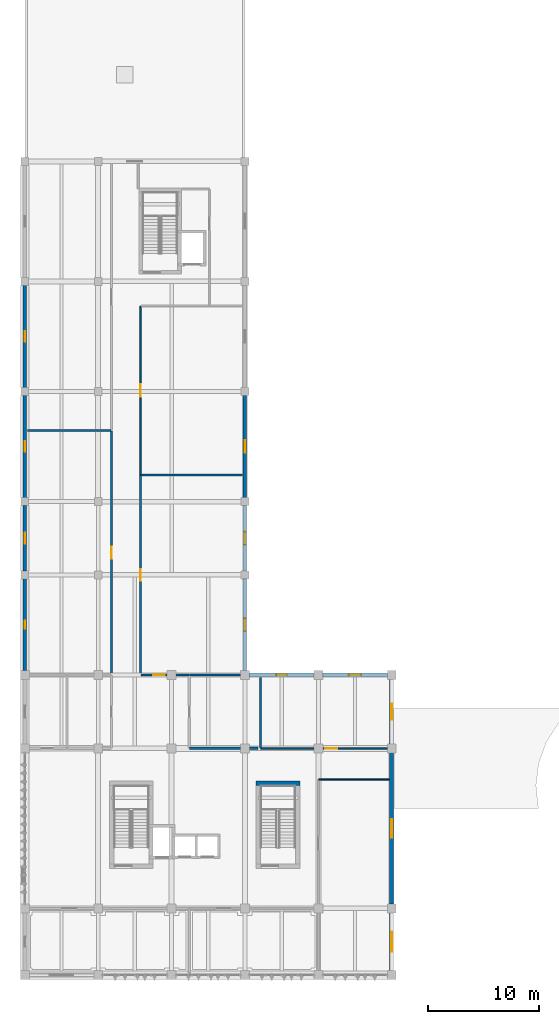
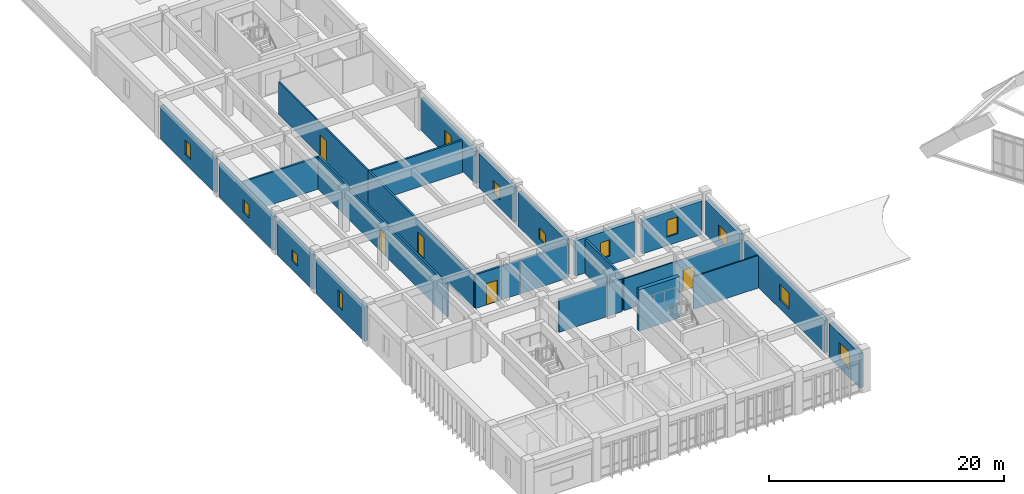
# One storey, part 30 of 34: 24 walls, 12 windows, 5 doors, 17 openings.
"""IFC4 building model written with IfcOpenShell, lengths in metres."""

from ifc_helpers import new_model, si_unit, direction, frame, frame_2d, origin, place, context, subcontext, project, spatial, rectangle, extrude, material, layer, layer_set, type_object, element, fill, save


model = new_model("IFC4")

# Units and contexts
model_context = context("Model", 3, precision=1e-05, world=origin(), true_north=direction((0.0, 1.0)))
body_context = subcontext(model_context, "Body", "Model", "MODEL_VIEW")
ifc_project = project(units=[si_unit("LENGTHUNIT", "METRE"), si_unit("AREAUNIT", "SQUARE_METRE"), si_unit("VOLUMEUNIT", "CUBIC_METRE"), si_unit("PLANEANGLEUNIT", "RADIAN"), si_unit("MASSUNIT", "GRAM", prefix="KILO")], contexts=[model_context])

# Site, building, storey
site_placement = place(None, origin())
site = spatial("IfcSite", under=ifc_project, at=site_placement, CompositionType="ELEMENT")
building_placement = place(site_placement, origin())
building = spatial("IfcBuilding", under=site, at=building_placement, Name="Miralva Faculty of Natural Sciences", CompositionType="ELEMENT")
storey_placement = place(building_placement, frame((0.0, 0.0, 24.0)))
storey = spatial("IfcBuildingStorey", under=building, at=storey_placement, Name="L05", CompositionType="ELEMENT", Elevation=24.0)

# Wall
ifc_material_1 = material(Name="Concrete C50/60", Category="concrete")
ifc_layer_1 = layer(ifc_material_1, 0.39990234375, Name="WL-CW01")
ifc_layer_set_1 = layer_set([ifc_layer_1], Name="Concrete C50/60")
wall_type_1 = type_object("IfcWallType", Name="WL-CW01", PredefinedType="SHEAR", material=ifc_layer_set_1)
wall_1_placement = place(storey_placement, frame((23.800048828125, 20.25, 0.0), z_axis=(0.0, 0.0, 1.0), x_axis=(1.0, 0.0, 0.0)))
element("IfcWall", 1, at=wall_1_placement, inside=storey, type_object=wall_type_1, Name="Core C1B shear wall north L05", PredefinedType="SHEAR", context=body_context, shape_type="SweptSolid", body=[
    extrude(rectangle(XDim=3.949951171875, YDim=0.39990234375, at=frame_2d((1.97509765625, 0.0))), origin(), (0.0, 0.0, 1.0), 4.280029296875),
])

# Wall, opening, door
ifc_material_2 = material(Name="Gypsum plasterboard")
ifc_layer_2 = layer(ifc_material_2, 0.179931640625, Name="WL-PT02")
ifc_layer_set_2 = layer_set([ifc_layer_2], Name="Gypsum plasterboard")
wall_type_2 = type_object("IfcWallType", Name="WL-PT02", PredefinedType="PARTITIONING", material=ifc_layer_set_2)
wall_2_placement = place(storey_placement, frame((13.429931640625, 30.0, 0.0), z_axis=(0.0, 0.0, 1.0), x_axis=(1.0, 0.0, 0.0)))
wall_2 = element("IfcWall", 2, at=wall_2_placement, inside=storey, type_object=wall_type_2, Name="Interior partition PT-02 L05-476", PredefinedType="PARTITIONING", context=body_context, shape_type="SweptSolid", body=[
    extrude(rectangle(XDim=4.340087890625, YDim=0.179931640625, at=frame_2d((2.169921875, 0.0))), origin(), (0.0, 0.0, 1.0), 3.4951171875),
])
opening_1_placement = place(wall_2_placement, frame((1.10498046875, 0.0, 0.0)))
opening_1 = element("IfcOpeningElement", 3, at=opening_1_placement, cuts=wall_2, Name="Opening D-15", PredefinedType="OPENING", context=body_context, shape_type="SweptSolid", body=[
    extrude(rectangle(XDim=1.050048828125, YDim=2.199951171875, at=frame_2d((0.52490234375, 1.10009765625))), frame((0.0, 0.099853515625, 0.0), z_axis=(0.0, -1.0, 0.0), x_axis=(1.0, 0.0, 0.0)), (0.0, 0.0, 1.0), 0.199951171875),
])
ifc_material_3 = material(Name="Galvanised steel", Category="steel")
door_type_1 = type_object("IfcDoorType", Name="DR-DI15", OperationType="NOTDEFINED", PredefinedType="DOOR", material=ifc_material_3)
door_1_placement = place(opening_1_placement, origin())
door_1 = element("IfcDoor", 4, at=door_1_placement, inside=storey, type_object=door_type_1, Name="Interior door D-15 L05-175", OperationType="SINGLE_SWING_LEFT", OverallHeight=2.199951171875, OverallWidth=1.050048828125, PredefinedType="DOOR", context=body_context, shape_type="SweptSolid", body=[
    extrude(rectangle(XDim=1.050048828125, YDim=2.199951171875, at=frame_2d((0.52490234375, 1.10009765625))), frame((0.0, 0.02490234375, 0.0), z_axis=(0.0, -1.0, 0.0), x_axis=(1.0, 0.0, 0.0)), (0.0, 0.0, 1.0), 0.050048828125),
])
fill(opening_1, door_1)

# Wall
wall_3_placement = place(storey_placement, frame((3.22998046875, 52.0, 0.0), z_axis=(0.0, 0.0, 1.0), x_axis=(1.0, 0.0, 0.0)))
element("IfcWall", 5, at=wall_3_placement, inside=storey, type_object=wall_type_2, Name="Interior partition PT-02 L05-477", PredefinedType="PARTITIONING", context=body_context, shape_type="SweptSolid", body=[
    extrude(rectangle(XDim=7.5400390625, YDim=0.179931640625, at=frame_2d((3.77001953125, 0.0))), origin(), (0.0, 0.0, 1.0), 3.344970703125),
])

# Wall, opening, door
wall_4_placement = place(storey_placement, frame((10.800048828125, 30.030029296875, 0.0), z_axis=(0.0, 0.0, 1.0), x_axis=(0.0, 1.0, 0.0)))
wall_4 = element("IfcWall", 6, at=wall_4_placement, inside=storey, type_object=wall_type_2, Name="Interior partition PT-02 L05-478", PredefinedType="PARTITIONING", context=body_context, shape_type="SweptSolid", body=[
    extrude(rectangle(XDim=21.93994140625, YDim=0.179931640625, at=frame_2d((10.969970703125, 0.0))), origin(), (0.0, 0.0, 1.0), 3.39501953125),
])
opening_2_placement = place(wall_4_placement, frame((10.445068359375, 0.0, 0.0)))
opening_2 = element("IfcOpeningElement", 7, at=opening_2_placement, cuts=wall_4, Name="Opening D-15", PredefinedType="OPENING", context=body_context, shape_type="SweptSolid", body=[
    extrude(rectangle(XDim=1.050048828125, YDim=2.199951171875, at=frame_2d((0.52490234375, 1.10009765625))), frame((0.0, 0.099853515625, 0.0), z_axis=(0.0, -1.0, 0.0), x_axis=(1.0, 0.0, 0.0)), (0.0, 0.0, 1.0), 0.199951171875),
])
door_2_placement = place(opening_2_placement, origin())
door_2 = element("IfcDoor", 8, at=door_2_placement, inside=storey, type_object=door_type_1, Name="Interior door D-15 L05-176", OperationType="SINGLE_SWING_RIGHT", OverallHeight=2.199951171875, OverallWidth=1.050048828125, PredefinedType="DOOR", context=body_context, shape_type="SweptSolid", body=[
    extrude(rectangle(XDim=1.050048828125, YDim=2.199951171875, at=frame_2d((0.52490234375, 1.10009765625))), frame((0.0, 0.02490234375, 0.0), z_axis=(0.0, -1.0, 0.0), x_axis=(1.0, 0.0, 0.0)), (0.0, 0.0, 1.0), 0.050048828125),
])
fill(opening_2, door_2)

# Wall
wall_5_placement = place(storey_placement, frame((13.429931640625, 48.0, 0.0), z_axis=(0.0, 0.0, 1.0), x_axis=(1.0, 0.0, 0.0)))
element("IfcWall", 9, at=wall_5_placement, inside=storey, type_object=wall_type_2, Name="Interior partition PT-02 L05-479", PredefinedType="PARTITIONING", context=body_context, shape_type="SweptSolid", body=[
    extrude(rectangle(XDim=9.14013671875, YDim=0.179931640625, at=frame_2d((4.570068359375, 0.0))), origin(), (0.0, 0.0, 1.0), 3.344970703125),
])

# Wall, opening, door
wall_6_placement = place(storey_placement, frame((13.39990234375, 30.030029296875, 0.0), z_axis=(0.0, 0.0, 1.0), x_axis=(0.0, 1.0, 0.0)))
wall_6 = element("IfcWall", 10, at=wall_6_placement, inside=storey, type_object=wall_type_2, Name="Interior partition PT-02 L05-480", PredefinedType="PARTITIONING", context=body_context, shape_type="SweptSolid", body=[
    extrude(rectangle(XDim=17.93994140625, YDim=0.179931640625, at=frame_2d((8.969970703125, 0.0))), origin(), (0.0, 0.0, 1.0), 3.39501953125),
])
opening_3_placement = place(wall_6_placement, frame((8.445068359375, 0.0, 0.0)))
opening_3 = element("IfcOpeningElement", 11, at=opening_3_placement, cuts=wall_6, Name="Opening D-15", PredefinedType="OPENING", context=body_context, shape_type="SweptSolid", body=[
    extrude(rectangle(XDim=1.050048828125, YDim=2.199951171875, at=frame_2d((0.52490234375, 1.10009765625))), frame((0.0, 0.099853515625, 0.0), z_axis=(0.0, -1.0, 0.0), x_axis=(1.0, 0.0, 0.0)), (0.0, 0.0, 1.0), 0.199951171875),
])
door_3_placement = place(opening_3_placement, origin())
door_3 = element("IfcDoor", 12, at=door_3_placement, inside=storey, type_object=door_type_1, Name="Interior door D-15 L05-177", OperationType="SINGLE_SWING_LEFT", OverallHeight=2.199951171875, OverallWidth=1.050048828125, PredefinedType="DOOR", context=body_context, shape_type="SweptSolid", body=[
    extrude(rectangle(XDim=1.050048828125, YDim=2.199951171875, at=frame_2d((0.52490234375, 1.10009765625))), frame((0.0, 0.02490234375, 0.0), z_axis=(0.0, -1.0, 0.0), x_axis=(1.0, 0.0, 0.0)), (0.0, 0.0, 1.0), 0.050048828125),
])
fill(opening_3, door_3)

ifc_layer_3 = layer(ifc_material_2, 0.139892578125, Name="WL-PT04")
ifc_layer_set_3 = layer_set([ifc_layer_3], Name="Gypsum plasterboard")
wall_type_3 = type_object("IfcWallType", Name="WL-PT04", PredefinedType="PARTITIONING", material=ifc_layer_set_3)
wall_7_placement = place(storey_placement, frame((13.39990234375, 48.030029296875, 0.0), z_axis=(0.0, 0.0, 1.0), x_axis=(0.0, 1.0, 0.0)))
wall_7 = element("IfcWall", 13, at=wall_7_placement, inside=storey, type_object=wall_type_3, Name="Interior partition PT-04 L05-483", PredefinedType="PARTITIONING", context=body_context, shape_type="SweptSolid", body=[
    extrude(rectangle(XDim=15.139892578125, YDim=0.139892578125, at=frame_2d((7.56982421875, 0.0))), origin(), (0.0, 0.0, 1.0), 3.39501953125),
])
opening_4_placement = place(wall_7_placement, frame((6.9951171875, 0.0, 0.0)))
opening_4 = element("IfcOpeningElement", 14, at=opening_4_placement, cuts=wall_7, Name="Opening D-24", PredefinedType="OPENING", context=body_context, shape_type="SweptSolid", body=[
    extrude(rectangle(XDim=1.14990234375, YDim=2.14990234375, at=frame_2d((0.574951171875, 1.074951171875))), frame((0.0, 0.079833984375, 0.0), z_axis=(0.0, -1.0, 0.0), x_axis=(1.0, 0.0, 0.0)), (0.0, 0.0, 1.0), 0.159912109375),
])
ifc_material_4 = material(Name="Anodised aluminium", Category="aluminium")
door_type_2 = type_object("IfcDoorType", Name="DR-DI24", OperationType="NOTDEFINED", PredefinedType="DOOR", material=ifc_material_4)
door_4_placement = place(opening_4_placement, origin())
door_4 = element("IfcDoor", 15, at=door_4_placement, inside=storey, type_object=door_type_2, Name="Interior door D-24 L05-179", OperationType="SINGLE_SWING_RIGHT", OverallHeight=2.14990234375, OverallWidth=1.14990234375, PredefinedType="DOOR", context=body_context, shape_type="SweptSolid", body=[
    extrude(rectangle(XDim=1.14990234375, YDim=2.14990234375, at=frame_2d((0.574951171875, 1.074951171875))), frame((0.0, 0.02490234375, 0.0), z_axis=(0.0, -1.0, 0.0), x_axis=(1.0, 0.0, 0.0)), (0.0, 0.0, 1.0), 0.050048828125),
])
fill(opening_4, door_4)

# Wall
ifc_layer_4 = layer(ifc_material_2, 0.125, Name="WL-PT05")
ifc_layer_set_4 = layer_set([ifc_layer_4], Name="Gypsum plasterboard")
wall_type_4 = type_object("IfcWallType", Name="WL-PT05", PredefinedType="PARTITIONING", material=ifc_layer_set_4)
wall_8_placement = place(storey_placement, frame((29.429931640625, 20.60009765625, 0.0), z_axis=(0.0, 0.0, 1.0), x_axis=(1.0, 0.0, 0.0)))
element("IfcWall", 16, at=wall_8_placement, inside=storey, type_object=wall_type_4, Name="Interior partition PT-05 L05-464", PredefinedType="PARTITIONING", context=body_context, shape_type="SweptSolid", body=[
    extrude(rectangle(XDim=6.340087890625, YDim=0.125, at=frame_2d((3.169921875, 0.0))), origin(), (0.0, 0.0, 1.0), 3.375),
])

# Wall, opening, door
wall_9_placement = place(storey_placement, frame((24.22998046875, 23.39990234375, 0.0), z_axis=(0.0, 0.0, 1.0), x_axis=(1.0, 0.0, 0.0)))
wall_9 = element("IfcWall", 17, at=wall_9_placement, inside=storey, type_object=wall_type_4, Name="Interior partition PT-05 L05-475", PredefinedType="PARTITIONING", context=body_context, shape_type="SweptSolid", body=[
    extrude(rectangle(XDim=11.5400390625, YDim=0.125, at=frame_2d((5.77001953125, 0.0))), origin(), (0.0, 0.0, 1.0), 3.304931640625),
])
opening_5_placement = place(wall_9_placement, frame((5.77001953125, 0.0, 0.0)))
opening_5 = element("IfcOpeningElement", 18, at=opening_5_placement, cuts=wall_9, Name="Opening D-32", PredefinedType="OPENING", context=body_context, shape_type="SweptSolid", body=[
    extrude(rectangle(XDim=1.080078125, YDim=2.14990234375, at=frame_2d((0.5400390625, 1.074951171875))), frame((0.0, 0.072509765625, 0.0), z_axis=(0.0, -1.0, 0.0), x_axis=(1.0, 0.0, 0.0)), (0.0, 0.0, 1.0), 0.14501953125),
])
door_type_3 = type_object("IfcDoorType", Name="DR-DI32", OperationType="NOTDEFINED", PredefinedType="DOOR", material=ifc_material_4)
door_5_placement = place(opening_5_placement, origin())
door_5 = element("IfcDoor", 19, at=door_5_placement, inside=storey, type_object=door_type_3, Name="Interior door D-32 L05-174", OperationType="SINGLE_SWING_RIGHT", OverallHeight=2.14990234375, OverallWidth=1.080078125, PredefinedType="DOOR", context=body_context, shape_type="SweptSolid", body=[
    extrude(rectangle(XDim=1.080078125, YDim=2.14990234375, at=frame_2d((0.5400390625, 1.074951171875))), frame((0.0, 0.02490234375, 0.0), z_axis=(0.0, -1.0, 0.0), x_axis=(1.0, 0.0, 0.0)), (0.0, 0.0, 1.0), 0.050048828125),
])
fill(opening_5, door_5)

# Walls
ifc_layer_5 = layer(ifc_material_2, 0.2099609375, Name="WL-PT06")
ifc_layer_set_5 = layer_set([ifc_layer_5], Name="Gypsum plasterboard")
wall_type_5 = type_object("IfcWallType", Name="WL-PT06", PredefinedType="PLUMBINGWALL", material=ifc_layer_set_5)
wall_10_placement = place(storey_placement, frame((24.199951171875, 23.429931640625, 0.0), z_axis=(0.0, 0.0, 1.0), x_axis=(0.0, 1.0, 0.0)))
element("IfcWall", 20, at=wall_10_placement, inside=storey, type_object=wall_type_5, Name="Interior partition PT-06 L05-471", PredefinedType="PLUMBINGWALL", context=body_context, shape_type="SweptSolid", body=[
    extrude(rectangle(XDim=6.340087890625, YDim=0.2099609375, at=frame_2d((3.169921875, 0.0))), origin(), (0.0, 0.0, 1.0), 3.52490234375),
])
wall_11_placement = place(storey_placement, frame((17.830078125, 23.39990234375, 0.0), z_axis=(0.0, 0.0, 1.0), x_axis=(1.0, 0.0, 0.0)))
element("IfcWall", 21, at=wall_11_placement, inside=storey, type_object=wall_type_5, Name="Interior partition PT-06 L05-473", PredefinedType="PLUMBINGWALL", context=body_context, shape_type="SweptSolid", body=[
    extrude(rectangle(XDim=6.139892578125, YDim=0.2099609375, at=frame_2d((3.06982421875, 0.0))), origin(), (0.0, 0.0, 1.0), 3.39501953125),
])
wall_12_placement = place(storey_placement, frame((17.830078125, 30.0, 0.0), z_axis=(0.0, 0.0, 1.0), x_axis=(1.0, 0.0, 0.0)))
element("IfcWall", 22, at=wall_12_placement, inside=storey, type_object=wall_type_5, Name="Interior partition PT-06 L05-474", PredefinedType="PLUMBINGWALL", context=body_context, shape_type="SweptSolid", body=[
    extrude(rectangle(XDim=4.739990234375, YDim=0.2099609375, at=frame_2d((2.3701171875, 0.0))), origin(), (0.0, 0.0, 1.0), 3.4951171875),
])

# Wall, opening, window
ifc_material_5 = material(Name="Volcanic tuff architectural stone", Category="masonry")
ifc_layer_6 = layer(ifc_material_5, 0.360107421875, Name="WL-WT01")
ifc_layer_set_6 = layer_set([ifc_layer_6], Name="Volcanic tuff architectural stone")
wall_type_6 = type_object("IfcWallType", Name="WL-WT01", PredefinedType="SOLIDWALL", material=ifc_layer_set_6)
wall_13_placement = place(storey_placement, frame((36.0, 3.385009765625, 0.0), z_axis=(0.0, 0.0, 1.0), x_axis=(0.0, 1.0, 0.0)))
wall_13 = element("IfcWall", 23, at=wall_13_placement, inside=storey, type_object=wall_type_6, Name="Exterior wall L05-101", PredefinedType="SOLIDWALL", context=body_context, shape_type="SweptSolid", body=[
    extrude(rectangle(XDim=5.22998046875, YDim=0.360107421875, at=frame_2d((2.614990234375, 0.0))), origin(), (0.0, 0.0, 1.0), 3.574951171875),
])
opening_6_placement = place(wall_13_placement, frame((1.715087890625, 0.0, 0.89990234375)))
opening_6 = element("IfcOpeningElement", 24, at=opening_6_placement, cuts=wall_13, Name="Opening W-10", PredefinedType="OPENING", context=body_context, shape_type="SweptSolid", body=[
    extrude(rectangle(XDim=1.800048828125, YDim=1.75, at=frame_2d((0.89990234375, 0.875))), frame((0.0, 0.18994140625, 0.0), z_axis=(0.0, -1.0, 0.0), x_axis=(1.0, 0.0, 0.0)), (0.0, 0.0, 1.0), 0.380126953125),
])
ifc_material_6 = material(Name="Laminated solar-control glass", Category="glass")
window_type_1 = type_object("IfcWindowType", Name="WN-W10", PartitioningType="DOUBLE_PANEL_HORIZONTAL", PredefinedType="WINDOW", material=ifc_material_6)
window_1_placement = place(opening_6_placement, frame((1.800048828125, 0.0, 0.0), z_axis=(0.0, 0.0, 1.0), x_axis=(-1.0, 0.0, 0.0)))
window_1 = element("IfcWindow", 25, at=window_1_placement, inside=storey, type_object=window_type_1, Name="Window W-10 L05-47", OverallHeight=1.75, OverallWidth=1.800048828125, PartitioningType="DOUBLE_PANEL_HORIZONTAL", PredefinedType="WINDOW", context=body_context, shape_type="SweptSolid", body=[
    extrude(rectangle(XDim=1.800048828125, YDim=1.75, at=frame_2d((0.89990234375, 0.875))), frame((0.0, 0.030029296875, 0.0), z_axis=(0.0, -1.0, 0.0), x_axis=(1.0, 0.0, 0.0)), (0.0, 0.0, 1.0), 0.06005859375),
])
fill(opening_6, window_1)

wall_14_placement = place(storey_placement, frame((36.0, 9.385009765625, 0.0), z_axis=(0.0, 0.0, 1.0), x_axis=(0.0, 1.0, 0.0)))
wall_14 = element("IfcWall", 26, at=wall_14_placement, inside=storey, type_object=wall_type_6, Name="Exterior wall L05-102", PredefinedType="SOLIDWALL", context=body_context, shape_type="SweptSolid", body=[
    extrude(rectangle(XDim=13.6298828125, YDim=0.360107421875, at=frame_2d((6.81494140625, 0.0))), origin(), (0.0, 0.0, 1.0), 3.375),
])
opening_7_placement = place(wall_14_placement, frame((5.989990234375, 0.0, 0.89990234375)))
opening_7 = element("IfcOpeningElement", 27, at=opening_7_placement, cuts=wall_14, Name="Opening W-18", PredefinedType="OPENING", context=body_context, shape_type="SweptSolid", body=[
    extrude(rectangle(XDim=1.64990234375, YDim=1.64990234375, at=frame_2d((0.824951171875, 0.824951171875))), frame((0.0, 0.18994140625, 0.0), z_axis=(0.0, -1.0, 0.0), x_axis=(1.0, 0.0, 0.0)), (0.0, 0.0, 1.0), 0.380126953125),
])
window_type_2 = type_object("IfcWindowType", Name="WN-W18", PartitioningType="SINGLE_PANEL", PredefinedType="WINDOW", material=ifc_material_6)
window_2_placement = place(opening_7_placement, frame((1.64990234375, 0.0, 0.0), z_axis=(0.0, 0.0, 1.0), x_axis=(-1.0, 0.0, 0.0)))
window_2 = element("IfcWindow", 28, at=window_2_placement, inside=storey, type_object=window_type_2, Name="Window W-18 L05-48", OverallHeight=1.64990234375, OverallWidth=1.64990234375, PartitioningType="SINGLE_PANEL", PredefinedType="WINDOW", context=body_context, shape_type="SweptSolid", body=[
    extrude(rectangle(XDim=1.64990234375, YDim=1.64990234375, at=frame_2d((0.824951171875, 0.824951171875))), frame((0.0, 0.030029296875, 0.0), z_axis=(0.0, -1.0, 0.0), x_axis=(1.0, 0.0, 0.0)), (0.0, 0.0, 1.0), 0.06005859375),
])
fill(opening_7, window_2)

wall_15_placement = place(storey_placement, frame((36.0, 23.784912109375, 0.0), z_axis=(0.0, 0.0, 1.0), x_axis=(0.0, 1.0, 0.0)))
wall_15 = element("IfcWall", 29, at=wall_15_placement, inside=storey, type_object=wall_type_6, Name="Exterior wall L05-103", PredefinedType="SOLIDWALL", context=body_context, shape_type="SweptSolid", body=[
    extrude(rectangle(XDim=5.830078125, YDim=0.360107421875, at=frame_2d((2.9150390625, 0.0))), origin(), (0.0, 0.0, 1.0), 3.574951171875),
])
opening_8_placement = place(wall_15_placement, frame((2.18994140625, 0.0, 0.89990234375)))
opening_8 = element("IfcOpeningElement", 30, at=opening_8_placement, cuts=wall_15, Name="Opening W-19", PredefinedType="OPENING", context=body_context, shape_type="SweptSolid", body=[
    extrude(rectangle(XDim=1.449951171875, YDim=1.5, at=frame_2d((0.72509765625, 0.75))), frame((0.0, 0.18994140625, 0.0), z_axis=(0.0, -1.0, 0.0), x_axis=(1.0, 0.0, 0.0)), (0.0, 0.0, 1.0), 0.380126953125),
])
window_type_3 = type_object("IfcWindowType", Name="WN-W19", PartitioningType="SINGLE_PANEL", PredefinedType="WINDOW", material=ifc_material_6)
window_3_placement = place(opening_8_placement, frame((1.449951171875, 0.0, 0.0), z_axis=(0.0, 0.0, 1.0), x_axis=(-1.0, 0.0, 0.0)))
window_3 = element("IfcWindow", 31, at=window_3_placement, inside=storey, type_object=window_type_3, Name="Window W-19 L05-49", OverallHeight=1.5, OverallWidth=1.449951171875, PartitioningType="SINGLE_PANEL", PredefinedType="WINDOW", context=body_context, shape_type="SweptSolid", body=[
    extrude(rectangle(XDim=1.449951171875, YDim=1.5, at=frame_2d((0.72509765625, 0.75))), frame((0.0, 0.030029296875, 0.0), z_axis=(0.0, -1.0, 0.0), x_axis=(1.0, 0.0, 0.0)), (0.0, 0.0, 1.0), 0.06005859375),
])
fill(opening_8, window_3)

wall_16_placement = place(storey_placement, frame((23.18505859375, 30.0, 0.0), z_axis=(0.0, 0.0, 1.0), x_axis=(1.0, 0.0, 0.0)))
wall_16 = element("IfcWall", 32, at=wall_16_placement, inside=storey, type_object=wall_type_6, Name="Exterior wall L05-104", PredefinedType="SOLIDWALL", context=body_context, shape_type="SweptSolid", body=[
    extrude(rectangle(XDim=5.829833984375, YDim=0.360107421875, at=frame_2d((2.9150390625, 0.0))), origin(), (0.0, 0.0, 1.0), 3.655029296875),
])
opening_9_placement = place(wall_16_placement, frame((2.43994140625, 0.0, 0.89990234375)))
opening_9 = element("IfcOpeningElement", 33, at=opening_9_placement, cuts=wall_16, Name="Opening W-21", PredefinedType="OPENING", context=body_context, shape_type="SweptSolid", body=[
    extrude(rectangle(XDim=0.949951171875, YDim=1.699951171875, at=frame_2d((0.47509765625, 0.85009765625))), frame((0.0, 0.18994140625, 0.0), z_axis=(0.0, -1.0, 0.0), x_axis=(1.0, 0.0, 0.0)), (0.0, 0.0, 1.0), 0.380126953125),
])
window_type_4 = type_object("IfcWindowType", Name="WN-W21", PartitioningType="DOUBLE_PANEL_VERTICAL", PredefinedType="WINDOW", material=ifc_material_6)
window_4_placement = place(opening_9_placement, origin())
window_4 = element("IfcWindow", 34, at=window_4_placement, inside=storey, type_object=window_type_4, Name="Window W-21 L05-50", OverallHeight=1.699951171875, OverallWidth=0.949951171875, PartitioningType="DOUBLE_PANEL_VERTICAL", PredefinedType="WINDOW", context=body_context, shape_type="SweptSolid", body=[
    extrude(rectangle(XDim=0.949951171875, YDim=1.699951171875, at=frame_2d((0.47509765625, 0.85009765625))), frame((0.0, 0.030029296875, 0.0), z_axis=(0.0, -1.0, 0.0), x_axis=(1.0, 0.0, 0.0)), (0.0, 0.0, 1.0), 0.06005859375),
])
fill(opening_9, window_4)

wall_17_placement = place(storey_placement, frame((29.784912109375, 30.0, 0.0), z_axis=(0.0, 0.0, 1.0), x_axis=(1.0, 0.0, 0.0)))
wall_17 = element("IfcWall", 35, at=wall_17_placement, inside=storey, type_object=wall_type_6, Name="Exterior wall L05-105", PredefinedType="SOLIDWALL", context=body_context, shape_type="SweptSolid", body=[
    extrude(rectangle(XDim=5.830078125, YDim=0.360107421875, at=frame_2d((2.9150390625, 0.0))), origin(), (0.0, 0.0, 1.0), 3.47509765625),
])
opening_10_placement = place(wall_17_placement, frame((2.364990234375, 0.0, 0.89990234375)))
opening_10 = element("IfcOpeningElement", 36, at=opening_10_placement, cuts=wall_17, Name="Opening W-22", PredefinedType="OPENING", context=body_context, shape_type="SweptSolid", body=[
    extrude(rectangle(XDim=1.10009765625, YDim=1.75, at=frame_2d((0.550048828125, 0.875))), frame((0.0, 0.18994140625, 0.0), z_axis=(0.0, -1.0, 0.0), x_axis=(1.0, 0.0, 0.0)), (0.0, 0.0, 1.0), 0.380126953125),
])
window_type_5 = type_object("IfcWindowType", Name="WN-W22", PartitioningType="DOUBLE_PANEL_VERTICAL", PredefinedType="WINDOW", material=ifc_material_6)
window_5_placement = place(opening_10_placement, origin())
window_5 = element("IfcWindow", 37, at=window_5_placement, inside=storey, type_object=window_type_5, Name="Window W-22 L05-51", OverallHeight=1.75, OverallWidth=1.10009765625, PartitioningType="DOUBLE_PANEL_VERTICAL", PredefinedType="WINDOW", context=body_context, shape_type="SweptSolid", body=[
    extrude(rectangle(XDim=1.10009765625, YDim=1.75, at=frame_2d((0.550048828125, 0.875))), frame((0.0, 0.030029296875, 0.0), z_axis=(0.0, -1.0, 0.0), x_axis=(1.0, 0.0, 0.0)), (0.0, 0.0, 1.0), 0.06005859375),
])
fill(opening_10, window_5)

ifc_material_7 = material(Name="Precast concrete C40/50", Category="concrete")
ifc_layer_7 = layer(ifc_material_7, 0.320068359375, Name="WL-WT02")
ifc_layer_set_7 = layer_set([ifc_layer_7], Name="Precast concrete C40/50")
wall_type_7 = type_object("IfcWallType", Name="WL-WT02", PredefinedType="SOLIDWALL", material=ifc_layer_set_7)
wall_18_placement = place(storey_placement, frame((3.0, 30.385009765625, 0.0), z_axis=(0.0, 0.0, 1.0), x_axis=(0.0, 1.0, 0.0)))
wall_18 = element("IfcWall", 38, at=wall_18_placement, inside=storey, type_object=wall_type_7, Name="Exterior wall L05-269", PredefinedType="SOLIDWALL", context=body_context, shape_type="SweptSolid", body=[
    extrude(rectangle(XDim=8.280029296875, YDim=0.320068359375, at=frame_2d((4.14013671875, 0.0))), origin(), (0.0, 0.0, 1.0), 3.544921875),
])
opening_11_placement = place(wall_18_placement, frame((3.764892578125, 0.0, 0.89990234375)))
opening_11 = element("IfcOpeningElement", 39, at=opening_11_placement, cuts=wall_18, Name="Opening W-44", PredefinedType="OPENING", context=body_context, shape_type="SweptSolid", body=[
    extrude(rectangle(XDim=0.75, YDim=1.75, at=frame_2d((0.375, 0.875))), frame((0.0, 0.169921875, 0.0), z_axis=(0.0, -1.0, 0.0), x_axis=(1.0, 0.0, 0.0)), (0.0, 0.0, 1.0), 0.340087890625),
])
window_type_6 = type_object("IfcWindowType", Name="WN-W44", PartitioningType="DOUBLE_PANEL_VERTICAL", PredefinedType="WINDOW", material=ifc_material_6)
window_6_placement = place(opening_11_placement, origin())
window_6 = element("IfcWindow", 40, at=window_6_placement, inside=storey, type_object=window_type_6, Name="Window W-44 L05-206", OverallHeight=1.75, OverallWidth=0.75, PartitioningType="DOUBLE_PANEL_VERTICAL", PredefinedType="WINDOW", context=body_context, shape_type="SweptSolid", body=[
    extrude(rectangle(XDim=0.75, YDim=1.75, at=frame_2d((0.375, 0.875))), frame((0.0, 0.030029296875, 0.0), z_axis=(0.0, -1.0, 0.0), x_axis=(1.0, 0.0, 0.0)), (0.0, 0.0, 1.0), 0.06005859375),
])
fill(opening_11, window_6)

wall_19_placement = place(storey_placement, frame((3.0, 39.3349609375, 0.0), z_axis=(0.0, 0.0, 1.0), x_axis=(0.0, 1.0, 0.0)))
wall_19 = element("IfcWall", 41, at=wall_19_placement, inside=storey, type_object=wall_type_7, Name="Exterior wall L05-270", PredefinedType="SOLIDWALL", context=body_context, shape_type="SweptSolid", body=[
    extrude(rectangle(XDim=5.929931640625, YDim=0.320068359375, at=frame_2d((2.96484375, 0.0))), origin(), (0.0, 0.0, 1.0), 3.544921875),
])
opening_12_placement = place(wall_19_placement, frame((2.489990234375, 0.0, 0.89990234375)))
opening_12 = element("IfcOpeningElement", 42, at=opening_12_placement, cuts=wall_19, Name="Opening W-45", PredefinedType="OPENING", context=body_context, shape_type="SweptSolid", body=[
    extrude(rectangle(XDim=0.949951171875, YDim=1.14990234375, at=frame_2d((0.47509765625, 0.574951171875))), frame((0.0, 0.169921875, 0.0), z_axis=(0.0, -1.0, 0.0), x_axis=(1.0, 0.0, 0.0)), (0.0, 0.0, 1.0), 0.340087890625),
])
window_type_7 = type_object("IfcWindowType", Name="WN-W45", PartitioningType="DOUBLE_PANEL_VERTICAL", PredefinedType="WINDOW", material=ifc_material_6)
window_7_placement = place(opening_12_placement, origin())
window_7 = element("IfcWindow", 43, at=window_7_placement, inside=storey, type_object=window_type_7, Name="Window W-45 L05-207", OverallHeight=1.14990234375, OverallWidth=0.949951171875, PartitioningType="DOUBLE_PANEL_VERTICAL", PredefinedType="WINDOW", context=body_context, shape_type="SweptSolid", body=[
    extrude(rectangle(XDim=0.949951171875, YDim=1.14990234375, at=frame_2d((0.47509765625, 0.574951171875))), frame((0.0, 0.030029296875, 0.0), z_axis=(0.0, -1.0, 0.0), x_axis=(1.0, 0.0, 0.0)), (0.0, 0.0, 1.0), 0.06005859375),
])
fill(opening_12, window_7)

wall_20_placement = place(storey_placement, frame((3.0, 45.93505859375, 0.0), z_axis=(0.0, 0.0, 1.0), x_axis=(0.0, 1.0, 0.0)))
wall_20 = element("IfcWall", 44, at=wall_20_placement, inside=storey, type_object=wall_type_7, Name="Exterior wall L05-271", PredefinedType="SOLIDWALL", context=body_context, shape_type="SweptSolid", body=[
    extrude(rectangle(XDim=9.22998046875, YDim=0.320068359375, at=frame_2d((4.614990234375, 0.0))), origin(), (0.0, 0.0, 1.0), 3.4951171875),
])
opening_13_placement = place(wall_20_placement, frame((4.139892578125, 0.0, 0.89990234375)))
opening_13 = element("IfcOpeningElement", 45, at=opening_13_placement, cuts=wall_20, Name="Opening W-46", PredefinedType="OPENING", context=body_context, shape_type="SweptSolid", body=[
    extrude(rectangle(XDim=0.949951171875, YDim=1.35009765625, at=frame_2d((0.47509765625, 0.675048828125))), frame((0.0, 0.169921875, 0.0), z_axis=(0.0, -1.0, 0.0), x_axis=(1.0, 0.0, 0.0)), (0.0, 0.0, 1.0), 0.340087890625),
])
window_type_8 = type_object("IfcWindowType", Name="WN-W46", PartitioningType="DOUBLE_PANEL_VERTICAL", PredefinedType="WINDOW", material=ifc_material_6)
window_8_placement = place(opening_13_placement, origin())
window_8 = element("IfcWindow", 46, at=window_8_placement, inside=storey, type_object=window_type_8, Name="Window W-46 L05-208", OverallHeight=1.35009765625, OverallWidth=0.949951171875, PartitioningType="DOUBLE_PANEL_VERTICAL", PredefinedType="WINDOW", context=body_context, shape_type="SweptSolid", body=[
    extrude(rectangle(XDim=0.949951171875, YDim=1.35009765625, at=frame_2d((0.47509765625, 0.675048828125))), frame((0.0, 0.030029296875, 0.0), z_axis=(0.0, -1.0, 0.0), x_axis=(1.0, 0.0, 0.0)), (0.0, 0.0, 1.0), 0.06005859375),
])
fill(opening_13, window_8)

wall_21_placement = place(storey_placement, frame((3.0, 55.8349609375, 0.0), z_axis=(0.0, 0.0, 1.0), x_axis=(0.0, 1.0, 0.0)))
wall_21 = element("IfcWall", 47, at=wall_21_placement, inside=storey, type_object=wall_type_7, Name="Exterior wall L05-272", PredefinedType="SOLIDWALL", context=body_context, shape_type="SweptSolid", body=[
    extrude(rectangle(XDim=9.22998046875, YDim=0.320068359375, at=frame_2d((4.614990234375, 0.0))), origin(), (0.0, 0.0, 1.0), 3.4951171875),
])
opening_14_placement = place(wall_21_placement, frame((4.139892578125, 0.0, 0.89990234375)))
opening_14 = element("IfcOpeningElement", 48, at=opening_14_placement, cuts=wall_21, Name="Opening W-47", PredefinedType="OPENING", context=body_context, shape_type="SweptSolid", body=[
    extrude(rectangle(XDim=0.949951171875, YDim=1.550048828125, at=frame_2d((0.47509765625, 0.77490234375))), frame((0.0, 0.169921875, 0.0), z_axis=(0.0, -1.0, 0.0), x_axis=(1.0, 0.0, 0.0)), (0.0, 0.0, 1.0), 0.340087890625),
])
window_type_9 = type_object("IfcWindowType", Name="WN-W47", PartitioningType="DOUBLE_PANEL_VERTICAL", PredefinedType="WINDOW", material=ifc_material_6)
window_9_placement = place(opening_14_placement, origin())
window_9 = element("IfcWindow", 49, at=window_9_placement, inside=storey, type_object=window_type_9, Name="Window W-47 L05-209", OverallHeight=1.550048828125, OverallWidth=0.949951171875, PartitioningType="DOUBLE_PANEL_VERTICAL", PredefinedType="WINDOW", context=body_context, shape_type="SweptSolid", body=[
    extrude(rectangle(XDim=0.949951171875, YDim=1.550048828125, at=frame_2d((0.47509765625, 0.77490234375))), frame((0.0, 0.030029296875, 0.0), z_axis=(0.0, -1.0, 0.0), x_axis=(1.0, 0.0, 0.0)), (0.0, 0.0, 1.0), 0.06005859375),
])
fill(opening_14, window_9)

wall_22_placement = place(storey_placement, frame((22.800048828125, 30.385009765625, 0.0), z_axis=(0.0, 0.0, 1.0), x_axis=(0.0, 1.0, 0.0)))
wall_22 = element("IfcWall", 50, at=wall_22_placement, inside=storey, type_object=wall_type_7, Name="Exterior wall L05-274", PredefinedType="SOLIDWALL", context=body_context, shape_type="SweptSolid", body=[
    extrude(rectangle(XDim=8.280029296875, YDim=0.320068359375, at=frame_2d((4.14013671875, 0.0))), origin(), (0.0, 0.0, 1.0), 3.594970703125),
])
opening_15_placement = place(wall_22_placement, frame((3.56494140625, 0.0, 0.89990234375)))
opening_15 = element("IfcOpeningElement", 51, at=opening_15_placement, cuts=wall_22, Name="Opening W-49", PredefinedType="OPENING", context=body_context, shape_type="SweptSolid", body=[
    extrude(rectangle(XDim=1.14990234375, YDim=1.14990234375, at=frame_2d((0.574951171875, 0.574951171875))), frame((0.0, 0.169921875, 0.0), z_axis=(0.0, -1.0, 0.0), x_axis=(1.0, 0.0, 0.0)), (0.0, 0.0, 1.0), 0.340087890625),
])
window_type_10 = type_object("IfcWindowType", Name="WN-W49", PartitioningType="DOUBLE_PANEL_VERTICAL", PredefinedType="WINDOW", material=ifc_material_6)
window_10_placement = place(opening_15_placement, frame((1.14990234375, 0.0, 0.0), z_axis=(0.0, 0.0, 1.0), x_axis=(-1.0, 0.0, 0.0)))
window_10 = element("IfcWindow", 52, at=window_10_placement, inside=storey, type_object=window_type_10, Name="Window W-49 L05-211", OverallHeight=1.14990234375, OverallWidth=1.14990234375, PartitioningType="DOUBLE_PANEL_VERTICAL", PredefinedType="WINDOW", context=body_context, shape_type="SweptSolid", body=[
    extrude(rectangle(XDim=1.14990234375, YDim=1.14990234375, at=frame_2d((0.574951171875, 0.574951171875))), frame((0.0, 0.030029296875, 0.0), z_axis=(0.0, -1.0, 0.0), x_axis=(1.0, 0.0, 0.0)), (0.0, 0.0, 1.0), 0.06005859375),
])
fill(opening_15, window_10)

wall_23_placement = place(storey_placement, frame((22.800048828125, 39.3349609375, 0.0), z_axis=(0.0, 0.0, 1.0), x_axis=(0.0, 1.0, 0.0)))
wall_23 = element("IfcWall", 53, at=wall_23_placement, inside=storey, type_object=wall_type_7, Name="Exterior wall L05-275", PredefinedType="SOLIDWALL", context=body_context, shape_type="SweptSolid", body=[
    extrude(rectangle(XDim=5.929931640625, YDim=0.320068359375, at=frame_2d((2.96484375, 0.0))), origin(), (0.0, 0.0, 1.0), 3.594970703125),
])
opening_16_placement = place(wall_23_placement, frame((2.389892578125, 0.0, 0.89990234375)))
opening_16 = element("IfcOpeningElement", 54, at=opening_16_placement, cuts=wall_23, Name="Opening W-50", PredefinedType="OPENING", context=body_context, shape_type="SweptSolid", body=[
    extrude(rectangle(XDim=1.14990234375, YDim=1.35009765625, at=frame_2d((0.574951171875, 0.675048828125))), frame((0.0, 0.169921875, 0.0), z_axis=(0.0, -1.0, 0.0), x_axis=(1.0, 0.0, 0.0)), (0.0, 0.0, 1.0), 0.340087890625),
])
window_type_11 = type_object("IfcWindowType", Name="WN-W50", PartitioningType="DOUBLE_PANEL_VERTICAL", PredefinedType="WINDOW", material=ifc_material_6)
window_11_placement = place(opening_16_placement, frame((1.14990234375, 0.0, 0.0), z_axis=(0.0, 0.0, 1.0), x_axis=(-1.0, 0.0, 0.0)))
window_11 = element("IfcWindow", 55, at=window_11_placement, inside=storey, type_object=window_type_11, Name="Window W-50 L05-212", OverallHeight=1.35009765625, OverallWidth=1.14990234375, PartitioningType="DOUBLE_PANEL_VERTICAL", PredefinedType="WINDOW", context=body_context, shape_type="SweptSolid", body=[
    extrude(rectangle(XDim=1.14990234375, YDim=1.35009765625, at=frame_2d((0.574951171875, 0.675048828125))), frame((0.0, 0.030029296875, 0.0), z_axis=(0.0, -1.0, 0.0), x_axis=(1.0, 0.0, 0.0)), (0.0, 0.0, 1.0), 0.06005859375),
])
fill(opening_16, window_11)

wall_24_placement = place(storey_placement, frame((22.800048828125, 45.93505859375, 0.0), z_axis=(0.0, 0.0, 1.0), x_axis=(0.0, 1.0, 0.0)))
wall_24 = element("IfcWall", 56, at=wall_24_placement, inside=storey, type_object=wall_type_7, Name="Exterior wall L05-276", PredefinedType="SOLIDWALL", context=body_context, shape_type="SweptSolid", body=[
    extrude(rectangle(XDim=9.22998046875, YDim=0.320068359375, at=frame_2d((4.614990234375, 0.0))), origin(), (0.0, 0.0, 1.0), 3.344970703125),
])
opening_17_placement = place(wall_24_placement, frame((4.0400390625, 0.0, 0.89990234375)))
opening_17 = element("IfcOpeningElement", 57, at=opening_17_placement, cuts=wall_24, Name="Opening W-51", PredefinedType="OPENING", context=body_context, shape_type="SweptSolid", body=[
    extrude(rectangle(XDim=1.14990234375, YDim=1.550048828125, at=frame_2d((0.574951171875, 0.77490234375))), frame((0.0, 0.169921875, 0.0), z_axis=(0.0, -1.0, 0.0), x_axis=(1.0, 0.0, 0.0)), (0.0, 0.0, 1.0), 0.340087890625),
])
window_type_12 = type_object("IfcWindowType", Name="WN-W51", PartitioningType="DOUBLE_PANEL_VERTICAL", PredefinedType="WINDOW", material=ifc_material_6)
window_12_placement = place(opening_17_placement, frame((1.14990234375, 0.0, 0.0), z_axis=(0.0, 0.0, 1.0), x_axis=(-1.0, 0.0, 0.0)))
window_12 = element("IfcWindow", 58, at=window_12_placement, inside=storey, type_object=window_type_12, Name="Window W-51 L05-213", OverallHeight=1.550048828125, OverallWidth=1.14990234375, PartitioningType="DOUBLE_PANEL_VERTICAL", PredefinedType="WINDOW", context=body_context, shape_type="SweptSolid", body=[
    extrude(rectangle(XDim=1.14990234375, YDim=1.550048828125, at=frame_2d((0.574951171875, 0.77490234375))), frame((0.0, 0.030029296875, 0.0), z_axis=(0.0, -1.0, 0.0), x_axis=(1.0, 0.0, 0.0)), (0.0, 0.0, 1.0), 0.06005859375),
])
fill(opening_17, window_12)

save(model, "model.ifc")
